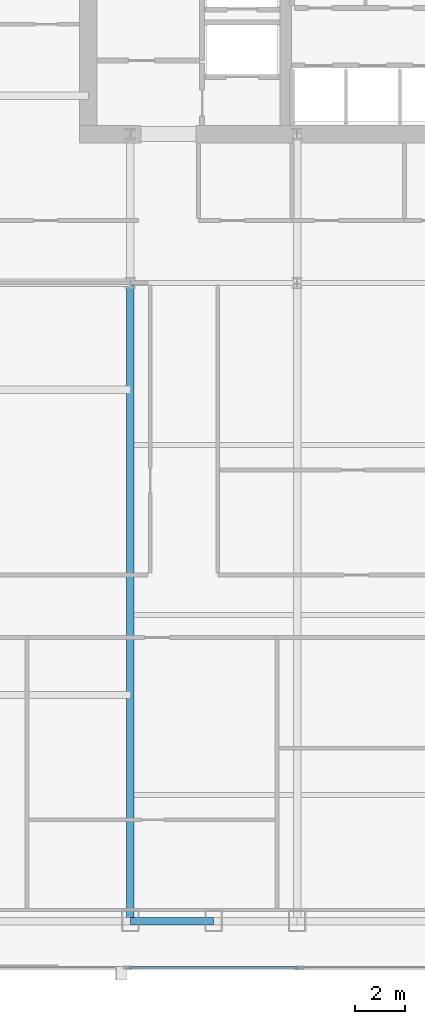
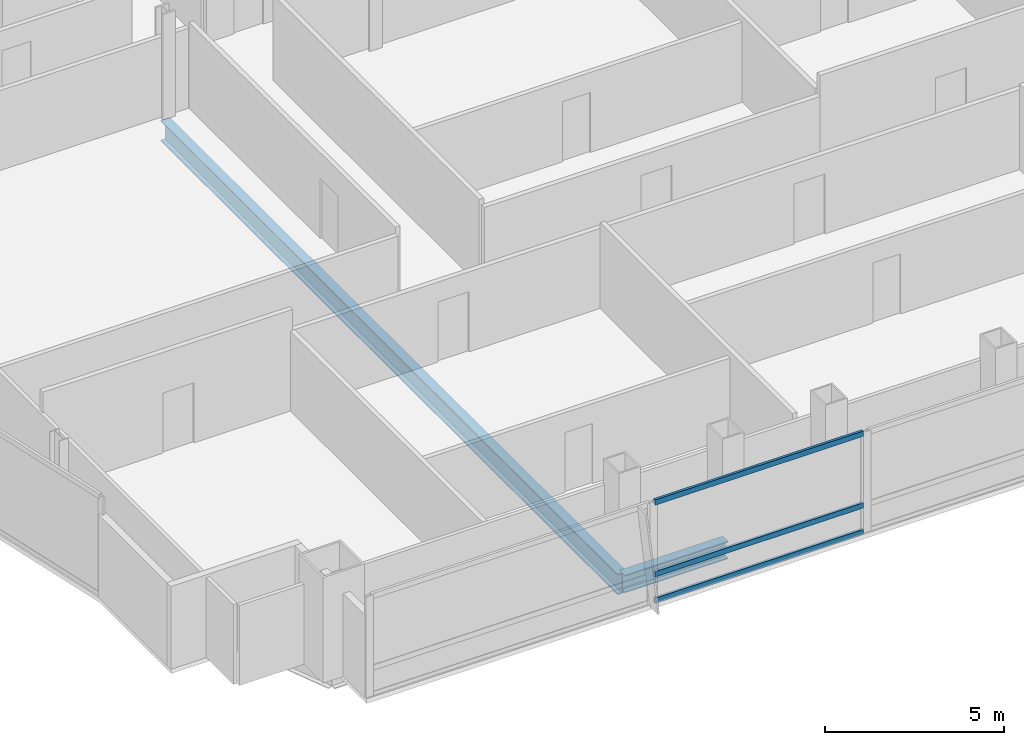
# One storey, part 7 of 29: 3 members, 2 beams, 1 element without a shape of its own.
"""IFC4 building model written with IfcOpenShell, lengths in metres."""

from ifc_helpers import new_model, si_unit, direction, frame, origin, origin_2d, place, context, subcontext, project, spatial, hollow_rectangle, i_section, extrude, material, material_profile, profile_set, type_object, element, aggregate, save


model = new_model("IFC4")

# Units and contexts
model_context = context("Model", 3, precision=1e-05, world=origin(), true_north=direction((0.0, 1.0)))
body_context = subcontext(model_context, "Body", "Model", "MODEL_VIEW")
ifc_project = project(units=[si_unit("LENGTHUNIT", "METRE"), si_unit("AREAUNIT", "SQUARE_METRE"), si_unit("VOLUMEUNIT", "CUBIC_METRE"), si_unit("PLANEANGLEUNIT", "RADIAN"), si_unit("MASSUNIT", "GRAM", prefix="KILO")], contexts=[model_context])

# Site, building, storey
site_placement = place(None, origin())
site = spatial("IfcSite", under=ifc_project, at=site_placement, CompositionType="ELEMENT")
building_placement = place(site_placement, origin())
building = spatial("IfcBuilding", under=site, at=building_placement, Name="Khoronbel Lancet Exchange", CompositionType="ELEMENT")
storey_placement = place(building_placement, frame((0.0, 0.0, 161.39990234375)))
storey = spatial("IfcBuildingStorey", under=building, at=storey_placement, Name="L40", CompositionType="ELEMENT", Elevation=161.39990234375)

# Beams
ifc_material_1 = material(Name="Steel S355", Category="steel")
ifc_material_profile_1 = material_profile(ifc_material_1, i_section(OverallWidth=0.300048828125, OverallDepth=0.699951171875, WebThickness=0.01708984375, FlangeThickness=0.031982421875, at=origin_2d()), Name="HEB 700")
ifc_profile_set_1 = profile_set([ifc_material_profile_1], Name="Steel S355")
beam_type_1 = type_object("IfcBeamType", Name="BM-BG3", PredefinedType="BEAM", material=ifc_profile_set_1)
beam_1_placement = place(storey_placement, frame((18.22509765625, 10.14990234375, -0.510009765625), z_axis=(0.0, 1.0, 0.0), x_axis=(-1.0, 0.0, 0.0)))
element("IfcBeam", 1, at=beam_1_placement, inside=storey, type_object=beam_type_1, Name="Level L40 south primary girder GS1", PredefinedType="BEAM", context=body_context, shape_type="SweptSolid", body=[
    extrude(i_section(OverallWidth=0.300048828125, OverallDepth=0.699951171875, WebThickness=0.01708984375, FlangeThickness=0.031982421875, at=origin_2d()), origin(), (0.0, 0.0, 1.0), 25.550048828125),
])
ifc_material_profile_2 = material_profile(ifc_material_1, i_section(OverallWidth=0.300048828125, OverallDepth=0.60009765625, WebThickness=0.015380859375, FlangeThickness=0.030029296875, at=origin_2d()), Name="HEB 600")
ifc_profile_set_2 = profile_set([ifc_material_profile_2], Name="Steel S355")
beam_type_2 = type_object("IfcBeamType", Name="BM-BSP2", PredefinedType="SPANDREL", material=ifc_profile_set_2)
beam_2_placement = place(storey_placement, frame((18.22509765625, 10.14990234375, -0.4599609375), z_axis=(1.0, 0.0, 0.0), x_axis=(0.0, 1.0, 0.0)))
element("IfcBeam", 2, at=beam_2_placement, inside=storey, type_object=beam_type_2, Name="Level L40 perimeter spandrel beam SP02", PredefinedType="SPANDREL", context=body_context, shape_type="SweptSolid", body=[
    extrude(i_section(OverallWidth=0.300048828125, OverallDepth=0.60009765625, WebThickness=0.015380859375, FlangeThickness=0.030029296875, at=origin_2d()), origin(), (0.0, 0.0, 1.0), 3.33740234375),
])

# Curtain wall, members
ifc_material_2 = material(Name="Low-E Solar Control Insulating Glass", Category="glass")
curtain_wall_type = type_object("IfcCurtainWallType", Name="CW-3", PredefinedType="NOTDEFINED", material=ifc_material_2)
curtain_wall_placement = place(storey_placement, origin())
curtain_wall = element("IfcCurtainWall", 3, at=curtain_wall_placement, inside=storey, type_object=curtain_wall_type, Name="Unitised curtain wall CW-L40-SWB", PredefinedType="NOTDEFINED")
ifc_material_3 = material(Name="Bronze-Anodised Aluminium 6063-T6", Category="aluminium")
ifc_material_profile_3 = material_profile(ifc_material_3, hollow_rectangle(XDim=0.0849609375, YDim=0.179931640625, WallThickness=0.0048828125, at=origin_2d()), Name="ALU TRANSOM 85x180")
ifc_profile_set_3 = profile_set([ifc_material_profile_3], Name="Bronze-Anodised Aluminium 6063-T6")
member_type = type_object("IfcMemberType", Name="MEM-CWT1", PredefinedType="USERDEFINED", material=ifc_profile_set_3)
member_1_placement = place(storey_placement, frame((18.18505859375, 8.2900390625, 0.04248046875), z_axis=(1.0, 0.0, 0.0), x_axis=(0.0, 1.0, 0.0)))
member_1 = element("IfcMember", 4, at=member_1_placement, type_object=member_type, Name="CW3 transom 1.1", ObjectType="TRANSOM", PredefinedType="USERDEFINED", context=body_context, shape_type="SweptSolid", body=[
    extrude(hollow_rectangle(XDim=0.0849609375, YDim=0.179931640625, WallThickness=0.0048828125, at=origin_2d()), origin(), (0.0, 0.0, 1.0), 6.72998046875),
])
member_2_placement = place(storey_placement, frame((18.18505859375, 8.2900390625, 0.9501953125), z_axis=(1.0, 0.0, 0.0), x_axis=(0.0, 1.0, 0.0)))
member_2 = element("IfcMember", 5, at=member_2_placement, type_object=member_type, Name="CW3 transom 1.2", ObjectType="TRANSOM", PredefinedType="USERDEFINED", context=body_context, shape_type="SweptSolid", body=[
    extrude(hollow_rectangle(XDim=0.0849609375, YDim=0.179931640625, WallThickness=0.0048828125, at=origin_2d()), origin(), (0.0, 0.0, 1.0), 6.72998046875),
])
member_3_placement = place(storey_placement, frame((18.18505859375, 8.2900390625, 3.397705078125), z_axis=(1.0, 0.0, 0.0), x_axis=(0.0, 1.0, 0.0)))
member_3 = element("IfcMember", 6, at=member_3_placement, type_object=member_type, Name="CW3 transom 1.3", ObjectType="TRANSOM", PredefinedType="USERDEFINED", context=body_context, shape_type="SweptSolid", body=[
    extrude(hollow_rectangle(XDim=0.0849609375, YDim=0.179931640625, WallThickness=0.0048828125, at=origin_2d()), origin(), (0.0, 0.0, 1.0), 6.72998046875),
])
aggregate(curtain_wall, [member_1, member_2, member_3])

save(model, "model.ifc")
